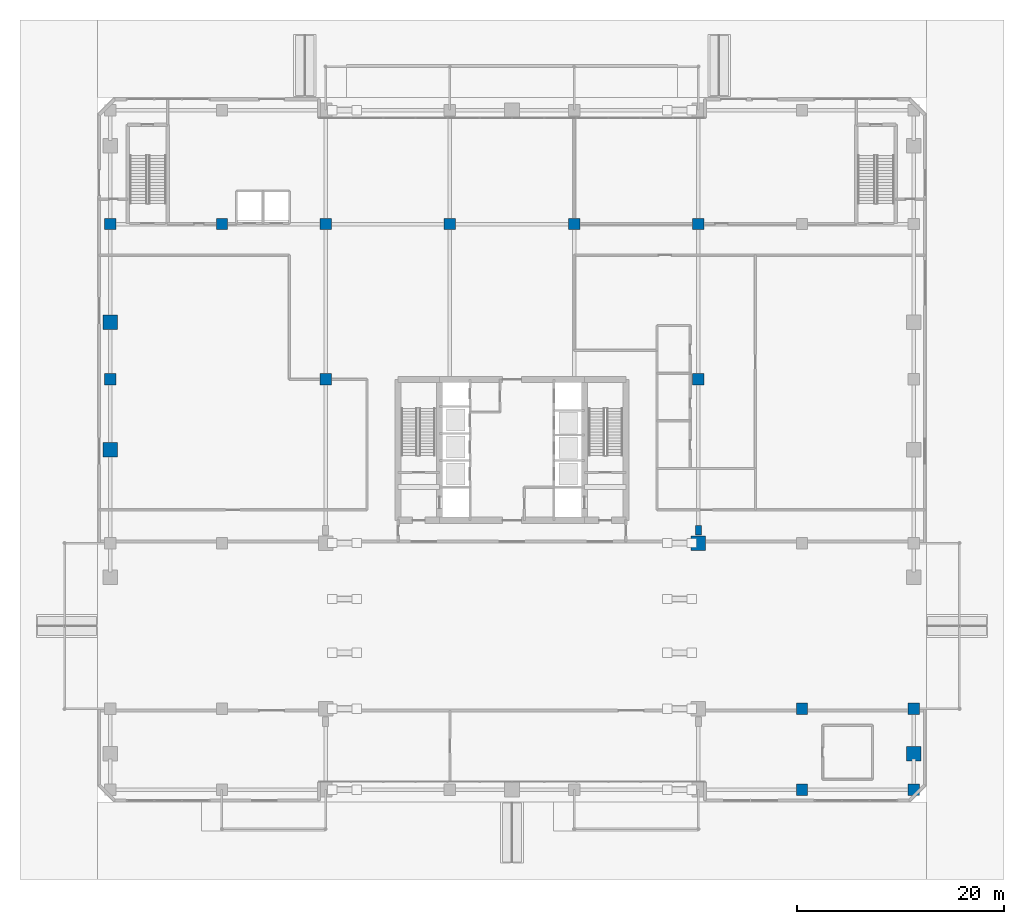
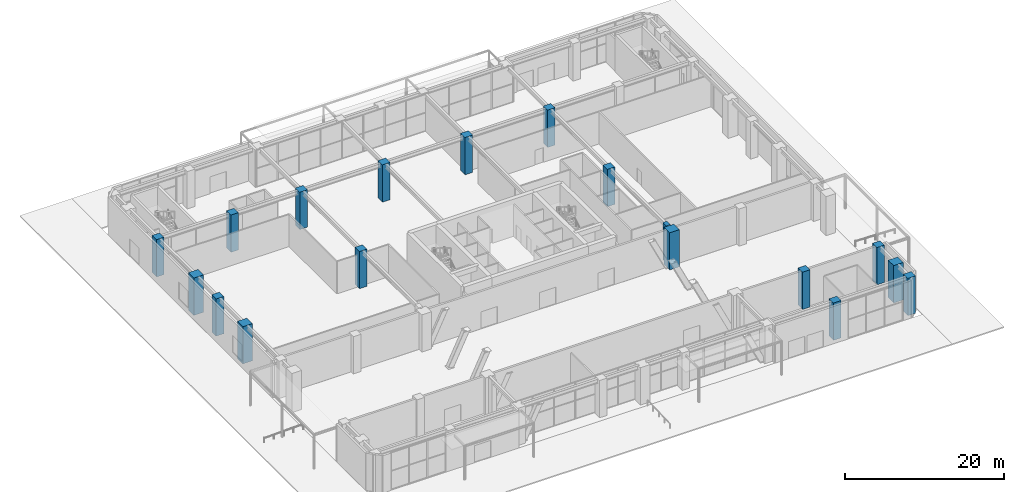
# One storey, part 5 of 49: 18 columns.
"""IFC4 building model written with IfcOpenShell, lengths in metres."""

from ifc_helpers import new_model, si_unit, direction, frame, origin, origin_2d, place, context, subcontext, project, spatial, rectangle, extrude, material, material_profile, profile_set, type_object, element, save


model = new_model("IFC4")

# Units and contexts
model_context = context("Model", 3, precision=1e-05, world=origin(), true_north=direction((0.0, 1.0)))
body_context = subcontext(model_context, "Body", "Model", "MODEL_VIEW")
ifc_project = project(units=[si_unit("LENGTHUNIT", "METRE"), si_unit("AREAUNIT", "SQUARE_METRE"), si_unit("VOLUMEUNIT", "CUBIC_METRE"), si_unit("PLANEANGLEUNIT", "RADIAN"), si_unit("MASSUNIT", "GRAM", prefix="KILO")], contexts=[model_context])

# Site, building, storey
site_placement = place(None, origin())
site = spatial("IfcSite", under=ifc_project, at=site_placement, CompositionType="ELEMENT")
building_placement = place(site_placement, origin())
building = spatial("IfcBuilding", under=site, at=building_placement, Name="Sarneth Arch Tower", CompositionType="ELEMENT")
storey_placement = place(building_placement, origin())
storey = spatial("IfcBuildingStorey", under=building, at=storey_placement, Name="L00", CompositionType="ELEMENT", Elevation=0.0)

# Columns
ifc_material_1 = material(Name="Concrete C60/75", Category="concrete")
ifc_material_profile_1 = material_profile(ifc_material_1, rectangle(XDim=1.10009765625, YDim=1.10009765625, at=origin_2d()), Name="RC-1100x1100")
ifc_profile_set_1 = profile_set([ifc_material_profile_1], Name="Concrete C60/75")
column_type_1 = type_object("IfcColumnType", Name="COL-RC-1100", PredefinedType="COLUMN", material=ifc_profile_set_1)
for number, where, z_axis, x_axis, name in (
    (1, (9.199951171875, 63.800048828125, 0.0), (0.0, 0.0, 1.0), (1.0, 0.0, 0.0), "L00 Podium column PC01"),
    (2, (20.0, 63.800048828125, 0.0), (0.0, 0.0, 1.0), (1.0, 0.0, 0.0), "L00 Podium column PC02"),
    (3, (30.0, 63.800048828125, 0.0), (0.0, 0.0, 1.0), (1.0, 0.0, 0.0), "L00 Podium column PC03"),
    (4, (42.0, 63.800048828125, 0.0), (0.0, 0.0, 1.0), (1.0, 0.0, 0.0), "L00 Podium column PC04"),
    (5, (54.0, 63.800048828125, 0.0), (0.0, 0.0, 1.0), (1.0, 0.0, 0.0), "L00 Podium column PC05"),
    (6, (66.0, 63.800048828125, 0.0), (0.0, 0.0, 1.0), (1.0, 0.0, 0.0), "L00 Podium column PC06"),
    (7, (76.0, 9.199951171875, 0.0), (0.0, 0.0, 1.0), (1.0, 0.0, 0.0), "L00 Podium column PS07"),
    (8, (86.800048828125, 9.199951171875, 0.0), (0.0, 0.0, 1.0), (1.0, 0.0, 0.0), "L00 Podium column PS08"),
    (9, (86.800048828125, 17.0, 0.0), (0.0, 0.0, 1.0), (1.0, 0.0, 0.0), "L00 Podium column PE01"),
    (10, (9.199951171875, 48.800048828125, 0.0), (0.0, 0.0, 1.0), (1.0, 0.0, 0.0), "L00 Podium column PW03"),
    (11, (76.0, 17.0, 0.0), (0.0, 0.0, 1.0), (1.0, 0.0, 0.0), "L00 Podium column AS-E1"),
    (12, (30.0, 48.800048828125, 0.0), (0.0, 0.0, 1.0), (1.0, 0.0, 0.0), "L00 Podium column WC-W1"),
    (13, (66.0, 48.800048828125, 0.0), (0.0, 0.0, 1.0), (1.0, 0.0, 0.0), "L00 Podium column WC-E1"),
):
    element("IfcColumn", number, at=place(storey_placement, frame(where, z_axis=z_axis, x_axis=x_axis)), inside=storey, type_object=column_type_1, Name=name, PredefinedType="COLUMN", context=body_context, shape_type="SweptSolid", body=[
        extrude(rectangle(XDim=1.10009765625, YDim=1.10009765625, at=origin_2d()), origin(), (0.0, 0.0, 1.0), 5.719970703125),
    ])
ifc_material_2 = material(Name="Concrete C60/75", Category="concrete")
ifc_material_profile_2 = material_profile(ifc_material_2, rectangle(XDim=1.39990234375, YDim=1.39990234375, at=origin_2d()), Name="RC-1400x1400")
ifc_profile_set_2 = profile_set([ifc_material_profile_2], Name="Concrete C60/75")
column_type_2 = type_object("IfcColumnType", Name="COL-RC-1400", PredefinedType="COLUMN", material=ifc_profile_set_2)
for number, where, z_axis, x_axis, name in (
    (14, (66.0, 33.0, 0.0), (0.0, 0.0, 1.0), (1.0, 0.0, 0.0), "L00 Podium column AP-NE"),
    (15, (9.199951171875, 54.31787109375, 0.0), (0.0, 0.0, 1.0), (1.0, 0.0, 0.0), "L00 Podium column PX08"),
    (16, (9.199951171875, 42.0, 0.0), (0.0, 0.0, 1.0), (1.0, 0.0, 0.0), "L00 Podium column PX09"),
    (17, (86.800048828125, 12.663330078125, 0.0), (0.0, 0.0, 1.0), (1.0, 0.0, 0.0), "L00 Podium column PX15"),
):
    element("IfcColumn", number, at=place(storey_placement, frame(where, z_axis=z_axis, x_axis=x_axis)), inside=storey, type_object=column_type_2, Name=name, PredefinedType="COLUMN", context=body_context, shape_type="SweptSolid", body=[
        extrude(rectangle(XDim=1.39990234375, YDim=1.39990234375, at=origin_2d()), origin(), (0.0, 0.0, 1.0), 5.719970703125),
    ])
ifc_material_3 = material(Name="Concrete C60/75", Category="concrete")
ifc_material_profile_3 = material_profile(ifc_material_3, rectangle(XDim=0.60009765625, YDim=0.89990234375, at=origin_2d()), Name="RC-600x900")
ifc_profile_set_3 = profile_set([ifc_material_profile_3], Name="Concrete C60/75")
column_type_3 = type_object("IfcColumnType", Name="PIL-RC-600x900", PredefinedType="PILASTER", material=ifc_profile_set_3)
column_placement = place(storey_placement, frame((66.0, 34.25, 0.0), z_axis=(0.0, 0.0, 1.0), x_axis=(1.0, 0.0, 0.0)))
element("IfcColumn", 18, at=column_placement, inside=storey, type_object=column_type_3, Name="L00 Arch pilaster PIL-NE", PredefinedType="PILASTER", context=body_context, shape_type="SweptSolid", body=[
    extrude(rectangle(XDim=0.60009765625, YDim=0.89990234375, at=origin_2d()), origin(), (0.0, 0.0, 1.0), 5.719970703125),
])

save(model, "model.ifc")
